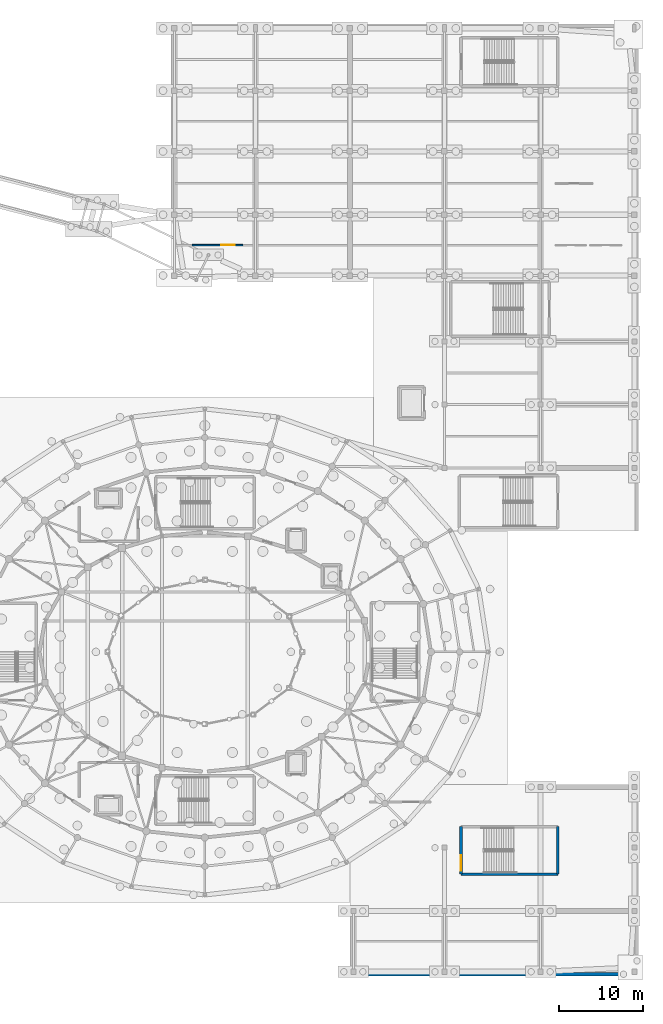
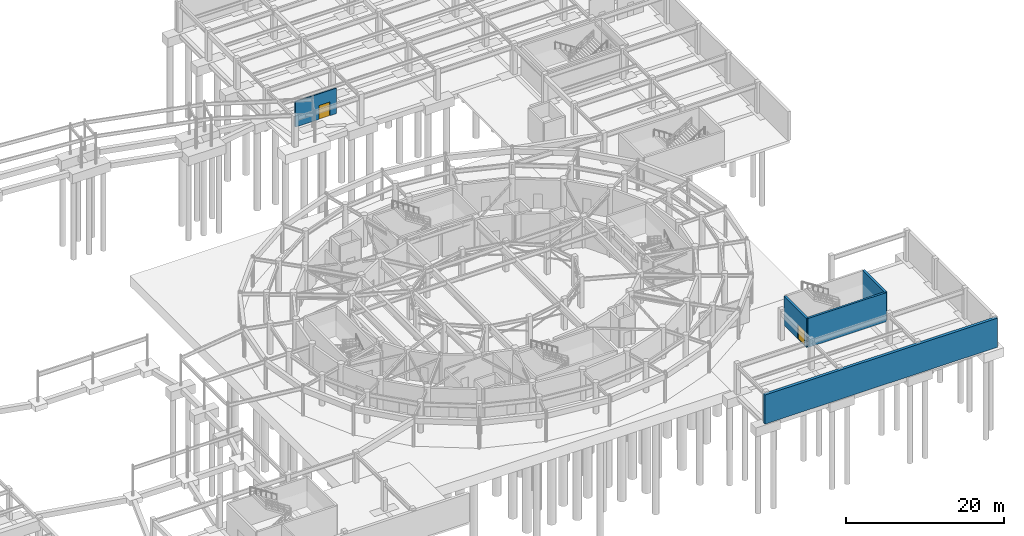
# One storey, part 41 of 68: 5 walls, 2 doors, 2 openings.
"""IFC4 building model written with IfcOpenShell, lengths in metres."""

from ifc_helpers import new_model, si_unit, direction, frame, frame_2d, origin, place, context, subcontext, project, spatial, rectangle, extrude, material, layer, layer_set, type_object, element, fill, save


model = new_model("IFC4")

# Units and contexts
model_context = context("Model", 3, precision=1e-05, world=origin(), true_north=direction((0.0, 1.0)))
body_context = subcontext(model_context, "Body", "Model", "MODEL_VIEW")
ifc_project = project(units=[si_unit("LENGTHUNIT", "METRE"), si_unit("AREAUNIT", "SQUARE_METRE"), si_unit("VOLUMEUNIT", "CUBIC_METRE"), si_unit("PLANEANGLEUNIT", "RADIAN"), si_unit("MASSUNIT", "GRAM", prefix="KILO")], contexts=[model_context])

# Site, building, storey
site_placement = place(None, origin())
site = spatial("IfcSite", under=ifc_project, at=site_placement, CompositionType="ELEMENT")
building_placement = place(site_placement, origin())
building = spatial("IfcBuilding", under=site, at=building_placement, Name="Cinderbank Siding Concert Hall", CompositionType="ELEMENT")
storey_placement = place(building_placement, frame((0.0, 0.0, -4.800048828125)))
storey = spatial("IfcBuildingStorey", under=building, at=storey_placement, Name="B1", CompositionType="ELEMENT", Elevation=-4.800048828125)

# Wall, opening, door
ifc_material_1 = material(Name="Reinforced concrete AS 3600 N50 (50 MPa)", Category="concrete")
ifc_layer_1 = layer(ifc_material_1, 0.300048828125)
ifc_layer_set_1 = layer_set([ifc_layer_1], Name="Reinforced concrete AS 3600 N50 (50 MPa)")
wall_type_1 = type_object("IfcWallType", Name="WL-03 Structural Wall 300mm", PredefinedType="SHEAR", material=ifc_layer_set_1)
wall_1_placement = place(storey_placement, frame((152.360107421875, 17.659912109375, 0.0), z_axis=(0.0, 0.0, 1.0), x_axis=(0.0, 1.0, 0.0)))
wall_1 = element("IfcWall", 1, at=wall_1_placement, inside=storey, type_object=wall_type_1, Name="B1 ST-10 Core Wall ENTRY", PredefinedType="SHEAR", context=body_context, shape_type="SweptSolid", body=[
    extrude(rectangle(XDim=5.64013671875, YDim=0.300048828125, at=frame_2d((2.820068359375, 0.0))), origin(), (0.0, 0.0, 1.0), 4.5),
])
opening_1_placement = place(wall_1_placement, frame((0.419921875, 0.0, 0.0)))
opening_1 = element("IfcOpeningElement", 2, at=opening_1_placement, cuts=wall_1, Name="Opening D-05", PredefinedType="OPENING", context=body_context, shape_type="SweptSolid", body=[
    extrude(rectangle(XDim=1.800048828125, YDim=2.199951171875, at=frame_2d((0.89990234375, 1.10009765625))), frame((0.0, 0.162109375, 0.0), z_axis=(0.0, -1.0, 0.0), x_axis=(1.0, 0.0, 0.0)), (0.0, 0.0, 1.0), 0.323974609375),
])
ifc_material_2 = material(Name="Galvanised sheet steel acoustic fire door assembly", Category="steel")
door_type_1 = type_object("IfcDoorType", Name="D-05 Interior Door 1800x2200", OperationType="DOUBLE_DOOR_SINGLE_SWING", PredefinedType="DOOR", material=ifc_material_2)
door_1_placement = place(opening_1_placement, origin())
door_1 = element("IfcDoor", 3, at=door_1_placement, inside=storey, type_object=door_type_1, Name="B1 ST-10 Fire Stair Door B1-D051", OperationType="DOUBLE_DOOR_SINGLE_SWING", OverallHeight=2.199951171875, OverallWidth=1.800048828125, PredefinedType="DOOR", context=body_context, shape_type="SweptSolid", body=[
    extrude(rectangle(XDim=1.800048828125, YDim=2.199951171875, at=frame_2d((0.89990234375, 1.10009765625))), frame((0.0, 0.02490234375, 0.0), z_axis=(0.0, -1.0, 0.0), x_axis=(1.0, 0.0, 0.0)), (0.0, 0.0, 1.0), 0.050048828125),
])
fill(opening_1, door_1)

# Walls
wall_2_placement = place(storey_placement, frame((163.840087890625, 23.300048828125, 0.0), z_axis=(0.0, 0.0, 1.0), x_axis=(0.0, -1.0, 0.0)))
element("IfcWall", 4, at=wall_2_placement, inside=storey, type_object=wall_type_1, Name="B1 ST-10 Core Wall FAR", PredefinedType="SHEAR", context=body_context, shape_type="SweptSolid", body=[
    extrude(rectangle(XDim=5.64013671875, YDim=0.300048828125, at=frame_2d((2.820068359375, 0.0))), origin(), (0.0, 0.0, 1.0), 4.5),
])
wall_3_placement = place(storey_placement, frame((163.840087890625, 17.659912109375, 0.0), z_axis=(0.0, 0.0, 1.0), x_axis=(-1.0, 0.0, 0.0)))
element("IfcWall", 5, at=wall_3_placement, inside=storey, type_object=wall_type_1, Name="B1 ST-10 Core Wall SIDE1", PredefinedType="SHEAR", context=body_context, shape_type="SweptSolid", body=[
    extrude(rectangle(XDim=11.47998046875, YDim=0.300048828125, at=frame_2d((5.739990234375, 0.0))), origin(), (0.0, 0.0, 1.0), 4.5),
])
ifc_material_3 = material(Name="Reinforced concrete AS 3600 N40 (40 MPa)", Category="concrete")
ifc_layer_2 = layer(ifc_material_3, 0.419921875)
ifc_layer_set_2 = layer_set([ifc_layer_2], Name="Reinforced concrete AS 3600 N40 (40 MPa)")
wall_type_2 = type_object("IfcWallType", Name="WL-04 Structural Wall 420mm", PredefinedType="SOLIDWALL", material=ifc_layer_set_2)
wall_4_placement = place(storey_placement, frame((139.199951171875, 5.800048828125, 0.0), z_axis=(0.0, 0.0, 1.0), x_axis=(1.0, 0.0, 0.0)))
element("IfcWall", 6, at=wall_4_placement, inside=storey, type_object=wall_type_2, Name="B1 Structural Wall SW-B1-RET-03", PredefinedType="SOLIDWALL", context=body_context, shape_type="SweptSolid", body=[
    extrude(rectangle(XDim=34.0, YDim=0.419921875, at=frame_2d((17.0, 0.0))), origin(), (0.0, 0.0, 1.0), 4.5),
])

# Wall, opening, door
ifc_material_4 = material(Name="Acoustic plasterboard on light-gauge steel studs", Category="gypsum")
ifc_layer_3 = layer(ifc_material_4, 0.199951171875)
ifc_layer_set_3 = layer_set([ifc_layer_3], Name="Acoustic plasterboard on light-gauge steel studs")
wall_type_3 = type_object("IfcWallType", Name="WL-12 Interior Wall 200mm", PredefinedType="PARTITIONING", material=ifc_layer_set_3)
wall_5_placement = place(storey_placement, frame((120.5, 92.199951171875, 0.0), z_axis=(0.0, 0.0, 1.0), x_axis=(1.0, 0.0, 0.0)))
wall_5 = element("IfcWall", 7, at=wall_5_placement, inside=storey, type_object=wall_type_3, Name="B1 Partition Pump Plant Entry", PredefinedType="PARTITIONING", context=body_context, shape_type="SweptSolid", body=[
    extrude(rectangle(XDim=6.0, YDim=0.199951171875, at=frame_2d((3.0, 0.0))), origin(), (0.0, 0.0, 1.0), 3.936767578125),
])
opening_2_placement = place(wall_5_placement, frame((3.449951171875, 0.0, 0.0)))
opening_2 = element("IfcOpeningElement", 8, at=opening_2_placement, cuts=wall_5, Name="Opening D-14", PredefinedType="OPENING", context=body_context, shape_type="SweptSolid", body=[
    extrude(rectangle(XDim=1.60009765625, YDim=2.14990234375, at=frame_2d((0.800048828125, 1.074951171875))), frame((0.0, 0.11181640625, 0.0), z_axis=(0.0, -1.0, 0.0), x_axis=(1.0, 0.0, 0.0)), (0.0, 0.0, 1.0), 0.223876953125),
])
door_type_2 = type_object("IfcDoorType", Name="D-14 Interior Door 1600x2150", OperationType="DOUBLE_DOOR_SINGLE_SWING", PredefinedType="DOOR", material=ifc_material_2)
door_2_placement = place(opening_2_placement, origin())
door_2 = element("IfcDoor", 9, at=door_2_placement, inside=storey, type_object=door_type_2, Name="B1 Pump Plant Entry Door B1-D239", OperationType="DOUBLE_DOOR_SINGLE_SWING", OverallHeight=2.14990234375, OverallWidth=1.60009765625, PredefinedType="DOOR", context=body_context, shape_type="SweptSolid", body=[
    extrude(rectangle(XDim=1.60009765625, YDim=2.14990234375, at=frame_2d((0.800048828125, 1.074951171875))), frame((0.0, 0.02490234375, 0.0), z_axis=(0.0, -1.0, 0.0), x_axis=(1.0, 0.0, 0.0)), (0.0, 0.0, 1.0), 0.050048828125),
])
fill(opening_2, door_2)

save(model, "model.ifc")
